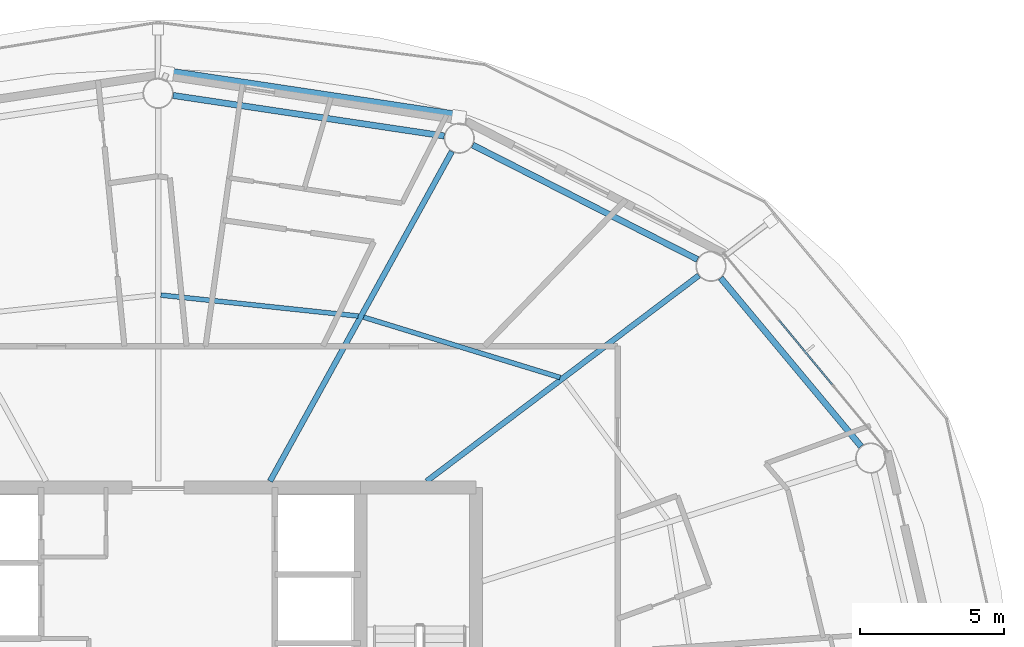
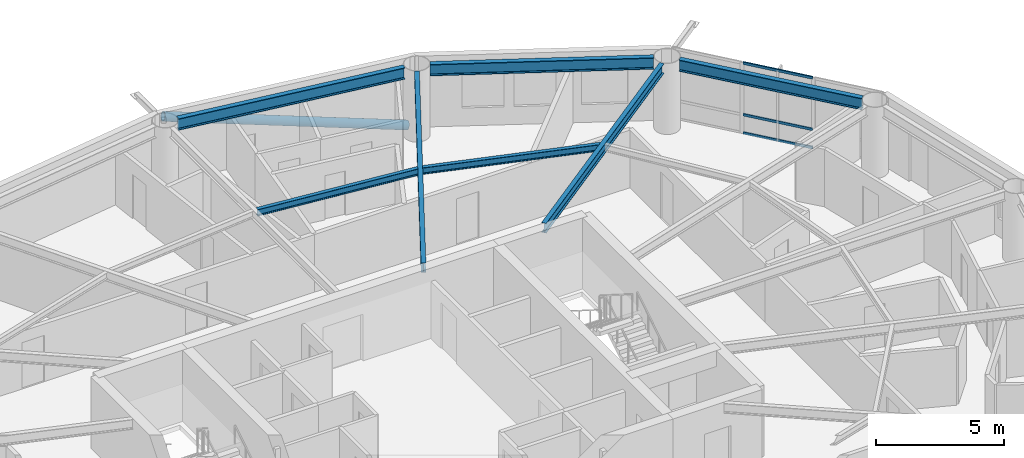
# One storey, part 14 of 28: 7 beams, 4 members, 1 element without a shape of its own.
"""IFC4 building model written with IfcOpenShell, lengths in metres."""

from ifc_helpers import new_model, si_unit, direction, frame, origin, origin_2d, place, context, subcontext, project, spatial, hollow_rectangle, hollow_circle, i_section, extrude, material, layer, layer_set, material_profile, profile_set, type_object, element, aggregate, save


model = new_model("IFC4")

# Units and contexts
model_context = context("Model", 3, precision=1e-05, world=origin(), true_north=direction((0.0, 1.0)))
body_context = subcontext(model_context, "Body", "Model", "MODEL_VIEW")
ifc_project = project(units=[si_unit("LENGTHUNIT", "METRE"), si_unit("AREAUNIT", "SQUARE_METRE"), si_unit("VOLUMEUNIT", "CUBIC_METRE"), si_unit("PLANEANGLEUNIT", "RADIAN"), si_unit("MASSUNIT", "GRAM", prefix="KILO")], contexts=[model_context])

# Site, building, storey
site_placement = place(None, origin())
site = spatial("IfcSite", under=ifc_project, at=site_placement, CompositionType="ELEMENT")
building_placement = place(site_placement, origin())
building = spatial("IfcBuilding", under=site, at=building_placement, Name="Sarneth Arch Tower", CompositionType="ELEMENT")
storey_placement = place(building_placement, frame((0.0, 0.0, 154.199951171875)))
storey = spatial("IfcBuildingStorey", under=building, at=storey_placement, Name="L38", CompositionType="ELEMENT", Elevation=154.199951171875)

# Beams
ifc_material_1 = material(Name="Steel S355", Category="steel")
ifc_material_profile_1 = material_profile(ifc_material_1, i_section(OverallWidth=0.1669921875, OverallDepth=0.31689453125, WebThickness=0.007568359375, FlangeThickness=0.01318359375, FilletRadius=0.012939453125, at=origin_2d()), Name="W310x52")
ifc_profile_set_1 = profile_set([ifc_material_profile_1], Name="Steel S355")
beam_type_1 = type_object("IfcBeamType", Name="BM-JOIST-310B", PredefinedType="JOIST", material=ifc_profile_set_1)
beam_1_placement = place(storey_placement, frame((61.912841796875, 52.61279296875, 3.221435546875), z_axis=(-0.955929549608, 0.293596144707, 0.0), x_axis=(-0.293596144707, -0.955929549608, 0.0)))
element("IfcBeam", 1, at=beam_1_placement, inside=storey, type_object=beam_type_1, Name="L38 Secondary floor joist 03", PredefinedType="JOIST", context=body_context, shape_type="SweptSolid", body=[
    extrude(i_section(OverallWidth=0.1669921875, OverallDepth=0.31689453125, WebThickness=0.007568359375, FlangeThickness=0.01318359375, FilletRadius=0.012939453125, at=origin_2d()), origin(), (0.0, 0.0, 1.0), 7.1123046875),
])
beam_2_placement = place(storey_placement, frame((54.92578125, 54.739501953125, 3.221435546875), z_axis=(-0.994407831942, 0.105608066799, 0.0), x_axis=(-0.105608066799, -0.994407831942, 0.0)))
element("IfcBeam", 2, at=beam_2_placement, inside=storey, type_object=beam_type_1, Name="L38 Secondary floor joist 04", PredefinedType="JOIST", context=body_context, shape_type="SweptSolid", body=[
    extrude(i_section(OverallWidth=0.1669921875, OverallDepth=0.31689453125, WebThickness=0.007568359375, FlangeThickness=0.01318359375, FilletRadius=0.012939453125, at=origin_2d()), origin(), (0.0, 0.0, 1.0), 6.8681640625),
])
ifc_material_2 = material(Name="Steel S355", Category="steel")
ifc_material_profile_2 = material_profile(ifc_material_2, i_section(OverallWidth=0.193115234375, OverallDepth=0.466064453125, WebThickness=0.011474609375, FlangeThickness=0.01904296875, FilletRadius=0.01806640625, at=origin_2d()), Name="W460x97")
ifc_profile_set_2 = profile_set([ifc_material_profile_2], Name="Steel S355")
beam_type_2 = type_object("IfcBeamType", Name="BM-RAD-460C", PredefinedType="BEAM", material=ifc_profile_set_2)
beam_3_placement = place(storey_placement, frame((57.29541015625, 49.02490234375, 3.14697265625), z_axis=(0.797786205076, 0.602940437349, 0.0), x_axis=(-0.602940437349, 0.797786205076, 0.0)))
element("IfcBeam", 3, at=beam_3_placement, inside=storey, type_object=beam_type_2, Name="L38 Radial floor girder 03", PredefinedType="BEAM", context=body_context, shape_type="SweptSolid", body=[
    extrude(i_section(OverallWidth=0.193115234375, OverallDepth=0.466064453125, WebThickness=0.011474609375, FlangeThickness=0.01904296875, FilletRadius=0.01806640625, at=origin_2d()), origin(), (0.0, 0.0, 1.0), 11.806884765625),
])
beam_4_placement = place(storey_placement, frame((51.875, 49.02490234375, 3.14697265625), z_axis=(0.483004525121, 0.87561785541, 0.0), x_axis=(-0.87561785541, 0.483004525121, 0.0)))
element("IfcBeam", 4, at=beam_4_placement, inside=storey, type_object=beam_type_2, Name="L38 Radial floor girder 04", PredefinedType="BEAM", context=body_context, shape_type="SweptSolid", body=[
    extrude(i_section(OverallWidth=0.193115234375, OverallDepth=0.466064453125, WebThickness=0.011474609375, FlangeThickness=0.01904296875, FilletRadius=0.01806640625, at=origin_2d()), origin(), (0.0, 0.0, 1.0), 13.029296875),
])
ifc_material_3 = material(Name="Steel S355", Category="steel")
ifc_material_profile_3 = material_profile(ifc_material_3, i_section(OverallWidth=0.214111328125, OverallDepth=0.549072265625, WebThickness=0.0146484375, FlangeThickness=0.023681640625, FilletRadius=0.01806640625, at=origin_2d()), Name="W530x138")
ifc_profile_set_3 = profile_set([ifc_material_profile_3], Name="Steel S355")
beam_type_3 = type_object("IfcBeamType", Name="BM-RAD-530A", PredefinedType="BEAM", material=ifc_profile_set_3)
beam_5_placement = place(storey_placement, frame((72.326171875, 50.229248046875, 3.10546875), z_axis=(-0.640171737024, 0.768231831621, 0.0), x_axis=(-0.768231831621, -0.640171737024, 0.0)))
element("IfcBeam", 5, at=beam_5_placement, inside=storey, type_object=beam_type_3, Name="L38 Perimeter spandrel beam 02", PredefinedType="BEAM", context=body_context, shape_type="SweptSolid", body=[
    extrude(i_section(OverallWidth=0.214111328125, OverallDepth=0.549072265625, WebThickness=0.0146484375, FlangeThickness=0.023681640625, FilletRadius=0.01806640625, at=origin_2d()), origin(), (0.0, 0.0, 1.0), 7.585693359375),
])
beam_6_placement = place(storey_placement, frame((66.665771484375, 56.698486328125, 3.10546875), z_axis=(-0.891254220899, 0.453504039374, 0.0), x_axis=(-0.453504039374, -0.891254220899, 0.0)))
element("IfcBeam", 6, at=beam_6_placement, inside=storey, type_object=beam_type_3, Name="L38 Perimeter spandrel beam 03", PredefinedType="BEAM", context=body_context, shape_type="SweptSolid", body=[
    extrude(i_section(OverallWidth=0.214111328125, OverallDepth=0.549072265625, WebThickness=0.0146484375, FlangeThickness=0.023681640625, FilletRadius=0.01806640625, at=origin_2d()), origin(), (0.0, 0.0, 1.0), 8.724853515625),
])
beam_7_placement = place(storey_placement, frame((57.902587890625, 60.970947265625, 3.10546875), z_axis=(-0.989027145133, 0.14773390332, 0.0), x_axis=(-0.14773390332, -0.989027145133, 0.0)))
element("IfcBeam", 7, at=beam_7_placement, inside=storey, type_object=beam_type_3, Name="L38 Perimeter spandrel beam 04", PredefinedType="BEAM", context=body_context, shape_type="SweptSolid", body=[
    extrude(i_section(OverallWidth=0.214111328125, OverallDepth=0.549072265625, WebThickness=0.0146484375, FlangeThickness=0.023681640625, FilletRadius=0.01806640625, at=origin_2d()), origin(), (0.0, 0.0, 1.0), 9.4873046875),
])

# Curtain wall, members
ifc_material_4 = material(Name="Anodised aluminium Type AA25 and solar-control low-e laminated IGU", Category="aluminium")
ifc_layer = layer(ifc_material_4, 0.169921875)
ifc_layer_set = layer_set([ifc_layer], Name="Anodised aluminium Type AA25 and solar-control low-e laminated IGU")
curtain_wall_type = type_object("IfcCurtainWallType", Name="CW-RES-MID", PredefinedType="NOTDEFINED", material=ifc_layer_set)
curtain_wall_placement = place(storey_placement, origin())
curtain_wall = element("IfcCurtainWall", 8, at=curtain_wall_placement, inside=storey, type_object=curtain_wall_type, Name="L38 Unitised curtain wall facet 02", PredefinedType="NOTDEFINED")
ifc_material_5 = material(Name="Anodised Aluminium 6063-T6", Category="aluminium")
ifc_material_profile_4 = material_profile(ifc_material_5, hollow_rectangle(XDim=0.06005859375, YDim=0.1201171875, WallThickness=0.00390625, at=origin_2d()), Name="AL-TRAN-120x60x4")
ifc_profile_set_4 = profile_set([ifc_material_profile_4], Name="Anodised Aluminium 6063-T6")
member_type_1 = type_object("IfcMemberType", Name="CW-TRANSOM", PredefinedType="USERDEFINED", material=ifc_profile_set_4)
member_1_placement = place(storey_placement, frame((71.327880859375, 52.36962890625, 0.030029296875), z_axis=(-0.637329777791, 0.770591171985, 0.0), x_axis=(-0.770591171985, -0.637329777791, 0.0)))
member_1 = element("IfcMember", 9, at=member_1_placement, type_object=member_type_1, Name="CW-SYS-5 transom 2.1", ObjectType="TRANSOM", PredefinedType="USERDEFINED", context=body_context, shape_type="SweptSolid", body=[
    extrude(hollow_rectangle(XDim=0.06005859375, YDim=0.1201171875, WallThickness=0.00390625, at=origin_2d()), origin(), (0.0, 0.0, 1.0), 2.898193359375),
])
member_2_placement = place(storey_placement, frame((71.327880859375, 52.36962890625, 0.900146484375), z_axis=(-0.637329777791, 0.770591171985, 0.0), x_axis=(-0.770591171985, -0.637329777791, 0.0)))
member_2 = element("IfcMember", 10, at=member_2_placement, type_object=member_type_1, Name="CW-SYS-5 transom 2.2", ObjectType="TRANSOM", PredefinedType="USERDEFINED", context=body_context, shape_type="SweptSolid", body=[
    extrude(hollow_rectangle(XDim=0.06005859375, YDim=0.1201171875, WallThickness=0.00390625, at=origin_2d()), origin(), (0.0, 0.0, 1.0), 2.898193359375),
])
member_3_placement = place(storey_placement, frame((71.327880859375, 52.36962890625, 3.35009765625), z_axis=(-0.637329777791, 0.770591171985, 0.0), x_axis=(-0.770591171985, -0.637329777791, 0.0)))
member_3 = element("IfcMember", 11, at=member_3_placement, type_object=member_type_1, Name="CW-SYS-5 transom 2.3", ObjectType="TRANSOM", PredefinedType="USERDEFINED", context=body_context, shape_type="SweptSolid", body=[
    extrude(hollow_rectangle(XDim=0.06005859375, YDim=0.1201171875, WallThickness=0.00390625, at=origin_2d()), origin(), (0.0, 0.0, 1.0), 2.898193359375),
])
aggregate(curtain_wall, [member_1, member_2, member_3])

# Member
ifc_material_6 = material(Name="Steel S355", Category="steel")
ifc_material_profile_5 = material_profile(ifc_material_6, hollow_circle(Radius=0.202880859375, WallThickness=0.01611328125, at=origin_2d()), Name="CHS406x16")
ifc_profile_set_5 = profile_set([ifc_material_profile_5], Name="Steel S355")
member_type_2 = type_object("IfcMemberType", Name="MEM-DIAG-BR2", PredefinedType="BRACE", material=ifc_profile_set_5)
member_4_placement = place(storey_placement, frame((58.404296875, 61.612548828125, 0.02001953125), z_axis=(-0.948052912183, 0.142822782379, 0.284248708942), x_axis=(-0.148967610144, -0.988842075929, 0.0)))
element("IfcMember", 12, at=member_4_placement, inside=storey, type_object=member_type_2, Name="L38 Perimeter frame diagonal 04", PredefinedType="BRACE", context=body_context, shape_type="SweptSolid", body=[
    extrude(hollow_circle(Radius=0.202880859375, WallThickness=0.01611328125, at=origin_2d()), origin(), (0.0, 0.0, 1.0), 10.66162109375),
])

save(model, "model.ifc")
